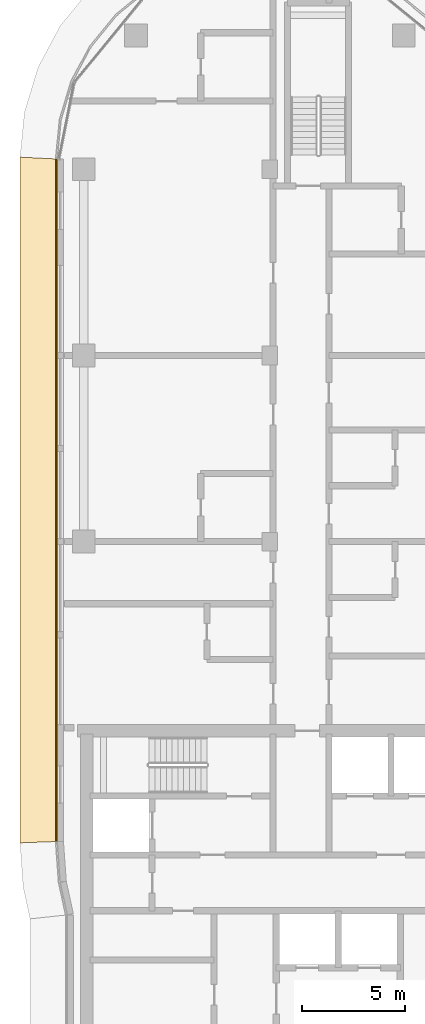
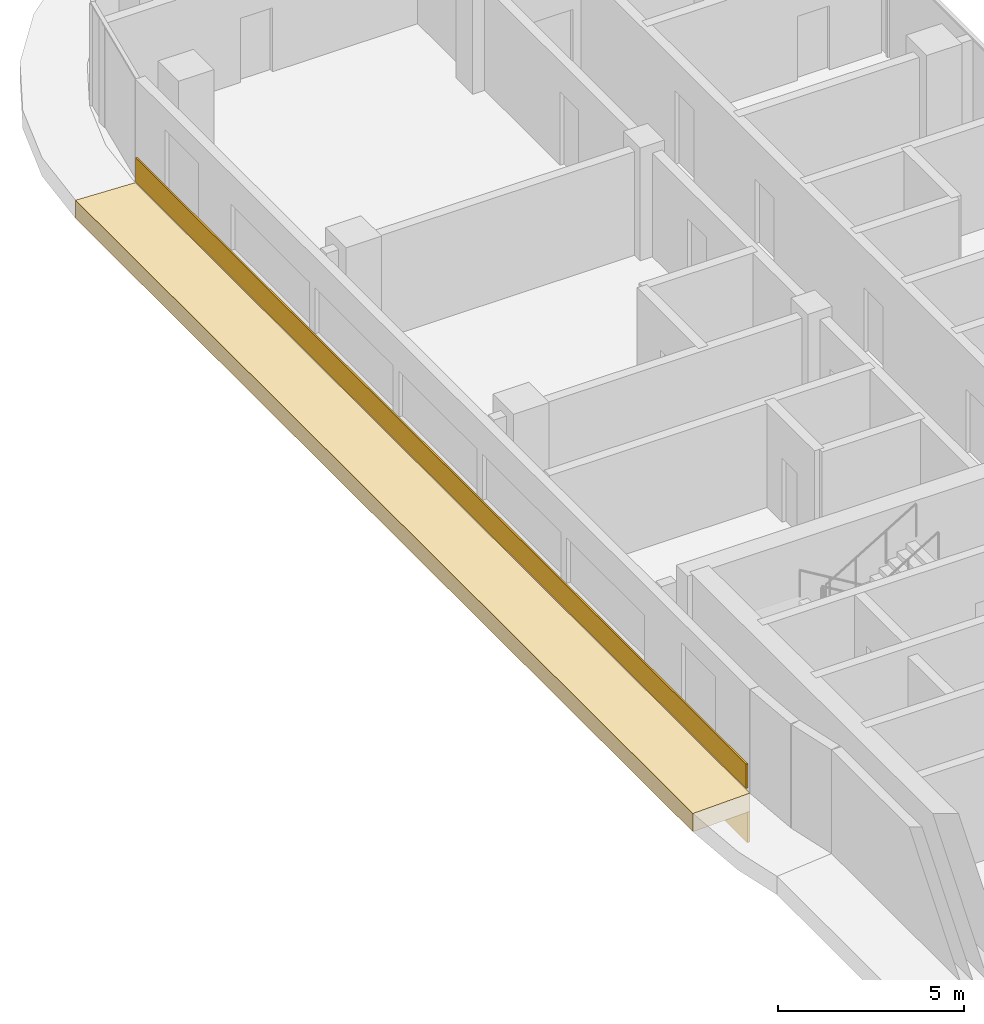
# One storey, part 20 of 27: 3 coverings.
"""IFC4 building model written with IfcOpenShell, lengths in metres."""

from ifc_helpers import new_model, si_unit, direction, frame, origin, origin_2d, place, context, subcontext, project, spatial, polyline, rectangle, outline, extrude, material, layer, layer_set, type_object, element, save


model = new_model("IFC4")

# Units and contexts
model_context = context("Model", 3, precision=1e-05, world=origin(), true_north=direction((0.0, 1.0)))
body_context = subcontext(model_context, "Body", "Model", "MODEL_VIEW")
ifc_project = project(units=[si_unit("LENGTHUNIT", "METRE"), si_unit("AREAUNIT", "SQUARE_METRE"), si_unit("VOLUMEUNIT", "CUBIC_METRE"), si_unit("PLANEANGLEUNIT", "RADIAN"), si_unit("MASSUNIT", "GRAM", prefix="KILO")], contexts=[model_context])

# Site, building, storey
site_placement = place(None, origin())
site = spatial("IfcSite", under=ifc_project, at=site_placement, CompositionType="ELEMENT")
building_placement = place(site_placement, origin())
building = spatial("IfcBuilding", under=site, at=building_placement, Name="Ogive Portal Towers", CompositionType="ELEMENT")
storey_placement = place(building_placement, frame((0.0, 0.0, 160.699951171875)))
storey = spatial("IfcBuildingStorey", under=building, at=storey_placement, Name="L39", CompositionType="ELEMENT", Elevation=160.699951171875)

# Coverings
ifc_material = material(Name="Limestone cladding on lightweight block wall", Category="masonry")
ifc_layer_1 = layer(ifc_material, 0.050048828125)
ifc_layer_set_1 = layer_set([ifc_layer_1], Name="SCREEN PERFORATED STONE")
covering_type_1 = type_object("IfcCoveringType", Name="SCREEN PERFORATED STONE", PredefinedType="CLADDING", material=ifc_layer_set_1)
covering_1_placement = place(storey_placement, frame((30.18994140625, 50.50146484375, 0.10009765625), z_axis=(0.0, 0.0, 1.0), x_axis=(0.0, -1.0, 0.0)))
element("IfcCovering", 1, at=covering_1_placement, inside=storey, type_object=covering_type_1, Name="Tracery screen", PredefinedType="CLADDING", context=body_context, shape_type="SweptSolid", body=[
    extrude(rectangle(XDim=32.781494140625, YDim=0.050048828125, at=origin_2d()), origin(), (0.0, 0.0, 1.0), 0.800048828125),
])
ifc_layer_2 = layer(ifc_material, 0.080078125)
ifc_layer_set_2 = layer_set([ifc_layer_2], Name="STONE SPANDREL 80")
covering_type_2 = type_object("IfcCoveringType", Name="STONE SPANDREL 80", PredefinedType="CLADDING", material=ifc_layer_set_2)
covering_2_placement = place(storey_placement, frame((0.0, 0.0, -1.599853515625)))
element("IfcCovering", 2, at=covering_2_placement, inside=storey, type_object=covering_type_2, Name="Stone spandrel A1-F11", PredefinedType="CLADDING", context=body_context, shape_type="SweptSolid", body=[
    extrude(outline(polyline([(30.215087890625, 67.0), (30.215087890625, 34.0), (30.135009765625, 33.9970703125), (30.135009765625, 67.00390625), (30.215087890625, 67.0)])), origin(), (0.0, 0.0, 1.0), 1.0),
])
ifc_layer_3 = layer(ifc_material, 0.60009765625)
ifc_layer_set_3 = layer_set([ifc_layer_3], Name="SUNSHADE LIP 600")
covering_type_3 = type_object("IfcCoveringType", Name="SUNSHADE LIP 600", PredefinedType="CLADDING", material=ifc_layer_set_3)
covering_3_placement = place(storey_placement, frame((0.0, 0.0, -0.599853515625)))
element("IfcCovering", 3, at=covering_3_placement, inside=storey, type_object=covering_type_3, Name="Sunshade lip A1-F11", PredefinedType="CLADDING", context=body_context, shape_type="SweptSolid", body=[
    extrude(outline(polyline([(30.215087890625, 67.0), (30.215087890625, 34.0), (28.4150390625, 33.935791015625), (28.4150390625, 67.08837890625), (30.215087890625, 67.0)])), origin(), (0.0, 0.0, 1.0), 0.599853515625),
])

save(model, "model.ifc")
